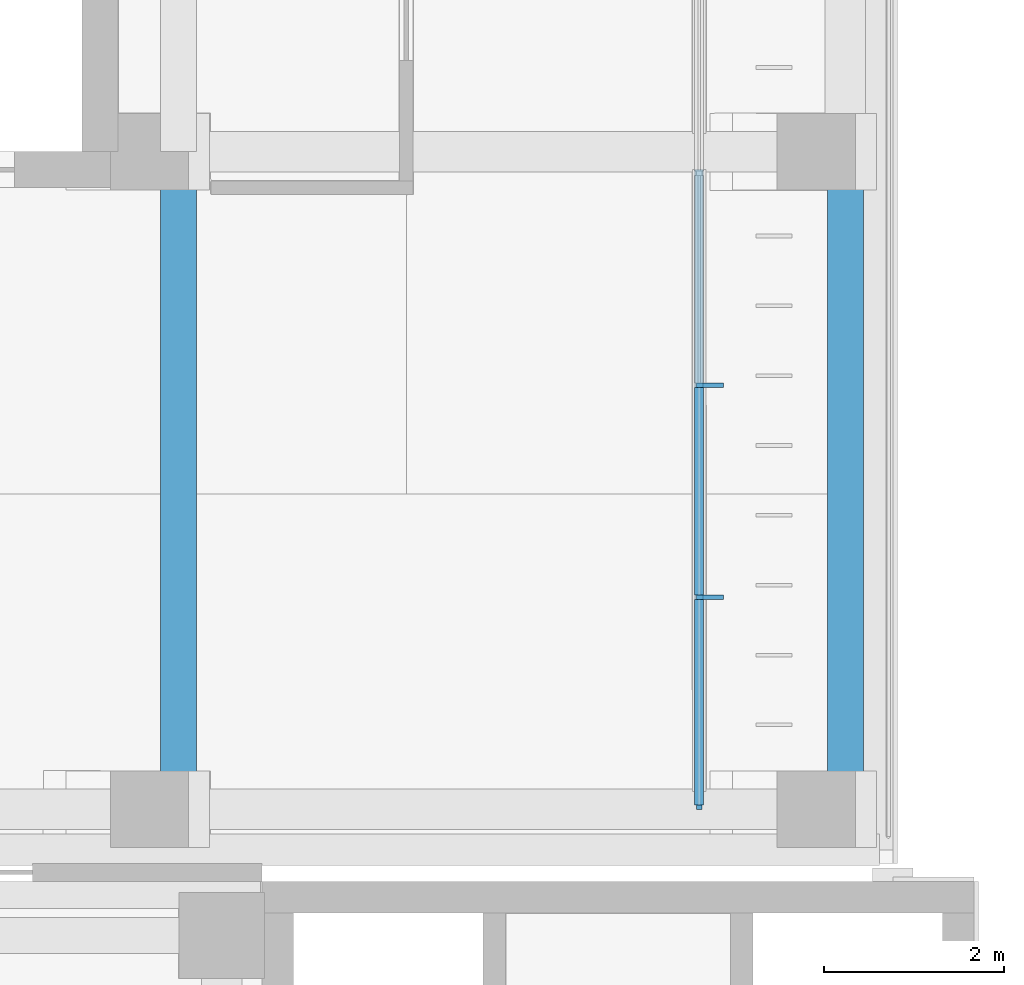
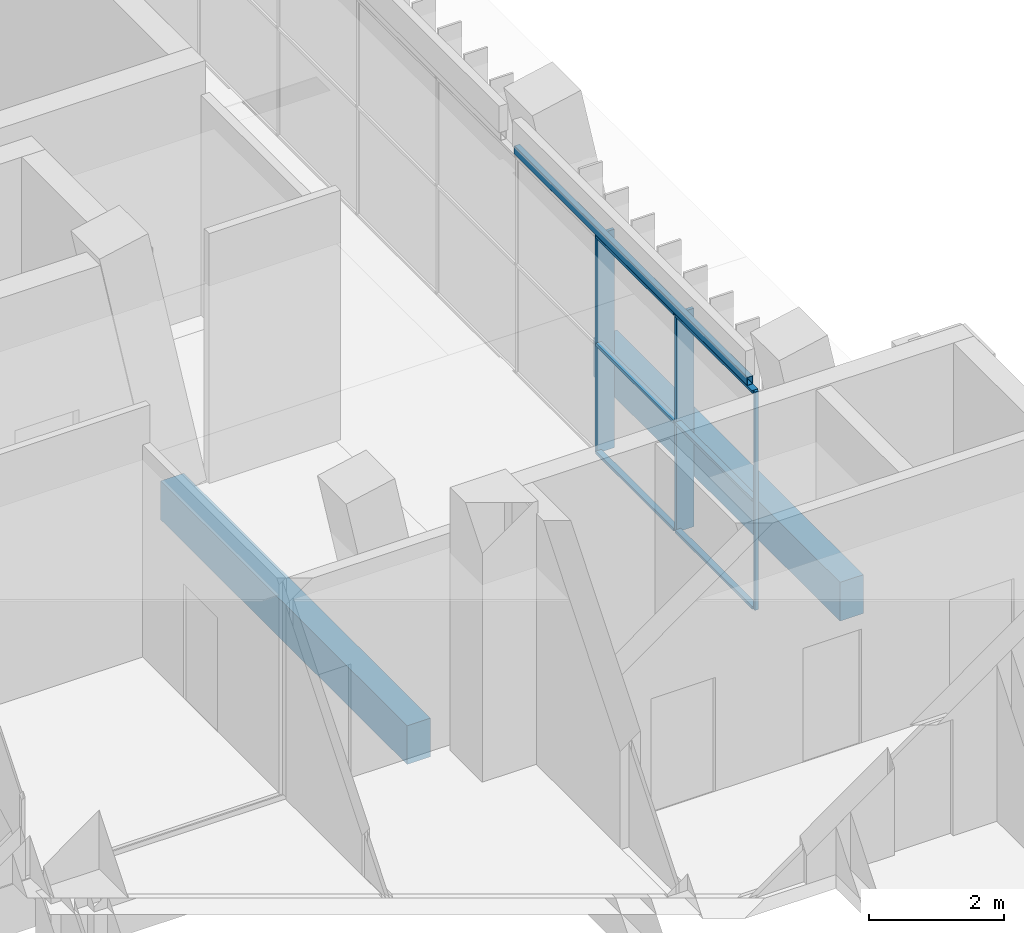
# One storey, part 21 of 92: 9 members, 3 beams, 1 element without a shape of its own.
"""IFC4 building model written with IfcOpenShell, lengths in metres."""

import ifcopenshell
import ifcopenshell.guid

model = None  # the IFC model being written
_history = None  # IfcOwnerHistory: only IFC2X3 demands one
_inside = {}  # id of a spatial element -> (the spatial element, [elements in it])
_under = {}  # id of a project, library or spatial element -> (it, [spatial elements below it])
_declared = {}  # id of a project -> (the project, [libraries it declares])
_typed = {}  # id of a type object -> (the type object, [elements of that type])
_made_of = {}  # id of a material, layer set ... -> (it, [elements and type objects made of it])


def new_model(schema):
    """Start an empty IFC model of exactly this schema.

    Asked for "IFC4X3", IfcOpenShell would pick the latest addendum, in which some entities
    have other attributes; the version numbers below select the first issue.
    IFC2X3 requires an IfcOwnerHistory on every rooted entity: one is made here for all.
    """
    global model, _history
    if schema == "IFC4X3":
        model = ifcopenshell.file(schema_version=(4, 3, 0, 0))
    else:
        model = ifcopenshell.file(schema=schema)
    _inside.clear()
    _under.clear()
    _declared.clear()
    _typed.clear()
    _made_of.clear()
    _history = None
    if model.schema == "IFC2X3":
        org = make("IfcOrganization", Name="unknown")
        user = make(
            "IfcPersonAndOrganization",
            ThePerson=make("IfcPerson", FamilyName="unknown"),
            TheOrganization=org,
        )
        app = make(
            "IfcApplication",
            ApplicationDeveloper=org,
            Version="unknown",
            ApplicationFullName="unknown",
            ApplicationIdentifier="unknown",
        )
        _history = make(
            "IfcOwnerHistory",
            OwningUser=user,
            OwningApplication=app,
            ChangeAction="ADDED",
            CreationDate=0,
        )
    return model


def make(cls, **values):
    """One entity of the class cls with the attributes given. An attribute that is None is left unset."""
    return model.create_entity(
        cls, **{name: value for name, value in values.items() if value is not None}
    )


def rooted(cls, **values):
    """An entity with a GlobalId (a new one), such as an element, a storey or a relation."""
    return make(cls, GlobalId=ifcopenshell.guid.new(), OwnerHistory=_history, **values)


def si_unit(unit_type, name, prefix=None):
    """IfcSIUnit, for example si_unit("LENGTHUNIT", "METRE", prefix="MILLI")."""
    return make("IfcSIUnit", UnitType=unit_type, Prefix=prefix, Name=name)


def assignment(units):
    """IfcUnitAssignment: the units of a project."""
    return None if units is None else make("IfcUnitAssignment", Units=units)


def point(xyz):
    """IfcCartesianPoint."""
    return None if xyz is None else make("IfcCartesianPoint", Coordinates=xyz)


def direction(xyz):
    """IfcDirection."""
    return None if xyz is None else make("IfcDirection", DirectionRatios=xyz)


def frame(location, z_axis=None, x_axis=None):
    """IfcAxis2Placement3D, a coordinate frame: its origin and axes. An axis left out is left unset."""
    return make(
        "IfcAxis2Placement3D",
        Location=point(location),
        Axis=direction(z_axis),
        RefDirection=direction(x_axis),
    )


def frame_2d(location, x_axis=None):
    """IfcAxis2Placement2D, a coordinate frame in the plane: its origin and x axis."""
    return make(
        "IfcAxis2Placement2D", Location=point(location), RefDirection=direction(x_axis)
    )


def origin():
    """The frame at (0, 0, 0) with its axes left unset."""
    return frame((0.0, 0.0, 0.0))


def origin_2d():
    """The frame at (0, 0) in the plane with its x axis left unset."""
    return frame_2d((0.0, 0.0))


def place(relative_to, where):
    """IfcLocalPlacement: puts the frame where relative to a parent placement (None: the world)."""
    return make(
        "IfcLocalPlacement", PlacementRelTo=relative_to, RelativePlacement=where
    )


def context(
    kind, dimensions, precision=None, world=None, true_north=None, identifier=None
):
    """IfcGeometricRepresentationContext, for example the 3D "Model" context."""
    return make(
        "IfcGeometricRepresentationContext",
        ContextIdentifier=identifier,
        ContextType=kind,
        CoordinateSpaceDimension=dimensions,
        Precision=precision,
        WorldCoordinateSystem=world,
        TrueNorth=true_north,
    )


def subcontext(parent, identifier, kind, view, scale=None):
    """IfcGeometricRepresentationSubContext, for example "Body" below "Model"."""
    return make(
        "IfcGeometricRepresentationSubContext",
        ContextIdentifier=identifier,
        ContextType=kind,
        ParentContext=parent,
        TargetScale=scale,
        TargetView=view,
    )


def project(units=None, contexts=None):
    """IfcProject with its units and contexts."""
    return rooted(
        "IfcProject",
        Name="project",
        RepresentationContexts=contexts,
        UnitsInContext=assignment(units),
    )


def spatial(cls, under=None, at=None, **own):
    """A site, building, storey or space (cls), placed at a placement, below another one or the project."""
    s = rooted(cls, ObjectPlacement=at, **own)
    if under is not None:
        _under.setdefault(under.id(), (under, []))[1].append(s)
    return s


def profile(cls, at=None, kind="AREA", **sizes):
    """A parametric profile (cls). Its sizes go by their IFC names, for example OverallWidth=200.0."""
    return make(cls, ProfileType=kind, Position=at, **sizes)


def rectangle(**sizes):
    """IfcRectangleProfileDef."""
    return profile("IfcRectangleProfileDef", **sizes)


def hollow_rectangle(**sizes):
    """IfcRectangleHollowProfileDef."""
    return profile("IfcRectangleHollowProfileDef", **sizes)


def extrude(swept, where, along, depth):
    """IfcExtrudedAreaSolid: the profile swept, set in the frame where, extruded along a direction by depth."""
    return make(
        "IfcExtrudedAreaSolid",
        SweptArea=swept,
        Position=where,
        ExtrudedDirection=direction(along),
        Depth=depth,
    )


def shape(context_of_items, identifier, shape_type, items):
    """IfcShapeRepresentation: the items that make up one representation, for example the "Body"."""
    return make(
        "IfcShapeRepresentation",
        ContextOfItems=context_of_items,
        RepresentationIdentifier=identifier,
        RepresentationType=shape_type,
        Items=items,
    )


def material(Name=None, Category=None):
    """IfcMaterial."""
    return make("IfcMaterial", Name=Name, Category=Category)


def material_profile(
    of_material, cross_section, Name=None, Category=None, Priority=None
):
    """IfcMaterialProfile: a cross section and its material."""
    return make(
        "IfcMaterialProfile",
        Name=Name,
        Material=of_material,
        Profile=cross_section,
        Priority=Priority,
        Category=Category,
    )


def profile_set(profiles, Name=None, composite=None):
    """IfcMaterialProfileSet."""
    return make(
        "IfcMaterialProfileSet",
        Name=Name,
        MaterialProfiles=profiles,
        CompositeProfile=composite,
    )


def made_of(thing, what):
    """Note that an element or type object is made of a material, layer set ...; save() writes the relation."""
    if what is not None:
        _made_of.setdefault(what.id(), (what, []))[1].append(thing)
    return thing


def type_object(cls, material=None, **own):
    """A type object (cls), such as IfcWallType, which elements share."""
    return made_of(rooted(cls, **own), material)


def element(
    cls,
    number,
    at=None,
    inside=None,
    cuts=None,
    type_object=None,
    material=None,
    context=None,
    identifier="Body",
    shape_type=None,
    held_by="IfcProductDefinitionShape",
    body=None,
    shapes=None,
    **own,
):
    """One element of the class cls, such as IfcWall. Its Tag is "e" and its number.

    at: its placement. inside: the storey or other place that contains it. cuts: it is an
    opening in that element (IfcRelVoidsElement). A single representation is given by context,
    identifier, shape_type and body (its items); several are given by shapes. held_by: the class
    of the entity that holds the representations. save() writes the other relations.
    """
    e = rooted(cls, Tag="e%d" % number, ObjectPlacement=at, **own)
    if body is not None:
        shapes = [shape(context, identifier, shape_type, body)]
    if shapes is not None:
        e.Representation = make(held_by, Representations=shapes)
    if inside is not None:
        _inside.setdefault(inside.id(), (inside, []))[1].append(e)
    if cuts is not None:
        rooted(
            "IfcRelVoidsElement", RelatingBuildingElement=cuts, RelatedOpeningElement=e
        )
    if type_object is not None:
        _typed.setdefault(type_object.id(), (type_object, []))[1].append(e)
    return made_of(e, material)


def aggregate(whole, parts):
    """IfcRelAggregates: a whole, such as a stair, and the parts it consists of."""
    return rooted("IfcRelAggregates", RelatingObject=whole, RelatedObjects=parts)


def save(model, path):
    """Write the relations noted so far, then the file.

    IfcRelAggregates (storeys below a building ...), IfcRelContainedInSpatialStructure (elements
    in a storey), IfcRelDefinesByType, IfcRelAssociatesMaterial and IfcRelDeclares: one each for
    every whole, place, type object, material and project.
    """
    for whole, parts in _under.values():
        aggregate(whole, parts)
    for where, things in _inside.values():
        rooted(
            "IfcRelContainedInSpatialStructure",
            RelatedElements=things,
            RelatingStructure=where,
        )
    for kind, things in _typed.values():
        rooted("IfcRelDefinesByType", RelatedObjects=things, RelatingType=kind)
    for what, things in _made_of.values():
        rooted("IfcRelAssociatesMaterial", RelatedObjects=things, RelatingMaterial=what)
    for by, libraries in _declared.values():
        rooted("IfcRelDeclares", RelatingContext=by, RelatedDefinitions=libraries)
    model.write(path)


model = new_model("IFC4")

# Units and contexts
model_context = context("Model", 3, precision=1e-05, world=origin(), true_north=direction((0.0, 1.0)))
body_context = subcontext(model_context, "Body", "Model", "MODEL_VIEW")
ifc_project = project(units=[si_unit("LENGTHUNIT", "METRE"), si_unit("AREAUNIT", "SQUARE_METRE"), si_unit("VOLUMEUNIT", "CUBIC_METRE"), si_unit("PLANEANGLEUNIT", "RADIAN"), si_unit("MASSUNIT", "GRAM", prefix="KILO")], contexts=[model_context])

# Site, building, storey
site_placement = place(None, origin())
site = spatial("IfcSite", under=ifc_project, at=site_placement, CompositionType="ELEMENT")
building_placement = place(site_placement, origin())
building = spatial("IfcBuilding", under=site, at=building_placement, Name="Lantern Court Media Centre", CompositionType="ELEMENT")
storey_placement = place(building_placement, frame((0.0, 0.0, 4.800048828125)))
storey = spatial("IfcBuildingStorey", under=building, at=storey_placement, Name="L01", CompositionType="ELEMENT", Elevation=4.800048828125)

# Curtain wall, members
ifc_material_1 = material(Name="Curtain wall bay 2400")
curtain_wall_type = type_object("IfcCurtainWallType", Name="Curtain wall bay 2400", PredefinedType="NOTDEFINED", material=ifc_material_1)
curtain_wall_placement = place(storey_placement, origin())
curtain_wall = element("IfcCurtainWall", 1, at=curtain_wall_placement, inside=storey, type_object=curtain_wall_type, Name="Curtain wall W inner L01", PredefinedType="NOTDEFINED")
ifc_material_2 = material(Name="Anodised aluminium", Category="aluminium")
ifc_material_profile_1 = material_profile(ifc_material_2, rectangle(XDim=0.300048828125, YDim=0.050048828125, at=origin_2d()), Name="AL 50x300")
ifc_profile_set_1 = profile_set([ifc_material_profile_1], Name="Anodised aluminium")
member_type_1 = type_object("IfcMemberType", Name="Curtain wall mullion 50x300", PredefinedType="MULLION", material=ifc_profile_set_1)
member_1_placement = place(storey_placement, frame((20.969970703125, 67.053955078125, 0.0), z_axis=(0.0, 0.0, 1.0), x_axis=(-1.0, 0.0, 0.0)))
member_1 = element("IfcMember", 2, at=member_1_placement, type_object=member_type_1, Name="CW2 mullion 2", PredefinedType="MULLION", context=body_context, shape_type="SweptSolid", body=[
    extrude(rectangle(XDim=0.300048828125, YDim=0.050048828125, at=origin_2d()), origin(), (0.0, 0.0, 1.0), 3.949951171875),
])
member_2_placement = place(storey_placement, frame((20.969970703125, 69.40771484375, 0.0), z_axis=(0.0, 0.0, 1.0), x_axis=(-1.0, 0.0, 0.0)))
member_2 = element("IfcMember", 3, at=member_2_placement, type_object=member_type_1, Name="CW2 mullion 3", PredefinedType="MULLION", context=body_context, shape_type="SweptSolid", body=[
    extrude(rectangle(XDim=0.300048828125, YDim=0.050048828125, at=origin_2d()), origin(), (0.0, 0.0, 1.0), 3.949951171875),
])
ifc_material_profile_2 = material_profile(ifc_material_2, rectangle(XDim=0.06005859375, YDim=0.050048828125, at=origin_2d()), Name="AL 50x60")
ifc_profile_set_2 = profile_set([ifc_material_profile_2], Name="Anodised aluminium")
member_type_2 = type_object("IfcMemberType", Name="Curtain wall mullion 50x60", PredefinedType="MULLION", material=ifc_profile_set_2)
member_3_placement = place(storey_placement, frame((20.85009765625, 64.72509765625, 0.0), z_axis=(0.0, 0.0, 1.0), x_axis=(-1.0, 0.0, 0.0)))
member_3 = element("IfcMember", 4, at=member_3_placement, type_object=member_type_2, Name="CW2 mullion 1", PredefinedType="MULLION", context=body_context, shape_type="SweptSolid", body=[
    extrude(rectangle(XDim=0.06005859375, YDim=0.050048828125, at=origin_2d()), origin(), (0.0, 0.0, 1.0), 3.949951171875),
])
ifc_material_profile_3 = material_profile(ifc_material_2, rectangle(XDim=0.10009765625, YDim=0.050048828125, at=origin_2d()), Name="AL 50x100")
ifc_profile_set_3 = profile_set([ifc_material_profile_3], Name="Anodised aluminium")
member_type_3 = type_object("IfcMemberType", Name="Curtain wall transom 100x50", PredefinedType="USERDEFINED", material=ifc_profile_set_3)
member_4_placement = place(storey_placement, frame((20.85009765625, 64.75, 0.02490234375), z_axis=(0.0, 1.0, 0.0), x_axis=(-1.0, 0.0, 0.0)))
member_4 = element("IfcMember", 5, at=member_4_placement, type_object=member_type_3, Name="CW2 transom 1.1", ObjectType="TRANSOM", PredefinedType="USERDEFINED", context=body_context, shape_type="SweptSolid", body=[
    extrude(rectangle(XDim=0.10009765625, YDim=0.050048828125, at=origin_2d()), origin(), (0.0, 0.0, 1.0), 2.27880859375),
])
member_5_placement = place(storey_placement, frame((20.85009765625, 64.75, 1.974853515625), z_axis=(0.0, 1.0, 0.0), x_axis=(-1.0, 0.0, 0.0)))
member_5 = element("IfcMember", 6, at=member_5_placement, type_object=member_type_3, Name="CW2 transom 1.2", ObjectType="TRANSOM", PredefinedType="USERDEFINED", context=body_context, shape_type="SweptSolid", body=[
    extrude(rectangle(XDim=0.10009765625, YDim=0.050048828125, at=origin_2d()), origin(), (0.0, 0.0, 1.0), 2.27880859375),
])
member_6_placement = place(storey_placement, frame((20.85009765625, 64.75, 3.925048828125), z_axis=(0.0, 1.0, 0.0), x_axis=(-1.0, 0.0, 0.0)))
member_6 = element("IfcMember", 7, at=member_6_placement, type_object=member_type_3, Name="CW2 transom 1.3", ObjectType="TRANSOM", PredefinedType="USERDEFINED", context=body_context, shape_type="SweptSolid", body=[
    extrude(rectangle(XDim=0.10009765625, YDim=0.050048828125, at=origin_2d()), origin(), (0.0, 0.0, 1.0), 2.27880859375),
])
member_7_placement = place(storey_placement, frame((20.85009765625, 67.078857421875, 0.02490234375), z_axis=(0.0, 1.0, 0.0), x_axis=(-1.0, 0.0, 0.0)))
member_7 = element("IfcMember", 8, at=member_7_placement, type_object=member_type_3, Name="CW2 transom 2.1", ObjectType="TRANSOM", PredefinedType="USERDEFINED", context=body_context, shape_type="SweptSolid", body=[
    extrude(rectangle(XDim=0.10009765625, YDim=0.050048828125, at=origin_2d()), origin(), (0.0, 0.0, 1.0), 2.303955078125),
])
member_8_placement = place(storey_placement, frame((20.85009765625, 67.078857421875, 1.974853515625), z_axis=(0.0, 1.0, 0.0), x_axis=(-1.0, 0.0, 0.0)))
member_8 = element("IfcMember", 9, at=member_8_placement, type_object=member_type_3, Name="CW2 transom 2.2", ObjectType="TRANSOM", PredefinedType="USERDEFINED", context=body_context, shape_type="SweptSolid", body=[
    extrude(rectangle(XDim=0.10009765625, YDim=0.050048828125, at=origin_2d()), origin(), (0.0, 0.0, 1.0), 2.303955078125),
])
member_9_placement = place(storey_placement, frame((20.85009765625, 67.078857421875, 3.925048828125), z_axis=(0.0, 1.0, 0.0), x_axis=(-1.0, 0.0, 0.0)))
member_9 = element("IfcMember", 10, at=member_9_placement, type_object=member_type_3, Name="CW2 transom 2.3", ObjectType="TRANSOM", PredefinedType="USERDEFINED", context=body_context, shape_type="SweptSolid", body=[
    extrude(rectangle(XDim=0.10009765625, YDim=0.050048828125, at=origin_2d()), origin(), (0.0, 0.0, 1.0), 2.303955078125),
])
aggregate(curtain_wall, [member_3, member_1, member_2, member_4, member_5, member_6, member_7, member_8, member_9])

# Beams
ifc_material_3 = material(Name="Steel S355J2 (EN 10025-2)", Category="steel")
ifc_material_profile_4 = material_profile(ifc_material_3, hollow_rectangle(XDim=0.10009765625, YDim=0.14990234375, WallThickness=0.00634765625, InnerFilletRadius=0.00634765625, OuterFilletRadius=0.009521484375, at=origin_2d()), Name="Facade head lintel RHS 150x100x6.3")
ifc_profile_set_4 = profile_set([ifc_material_profile_4], Name="Steel S355J2 (EN 10025-2)")
beam_type_1 = type_object("IfcBeamType", Name="Facade head lintel RHS 150x100x6.3", PredefinedType="BEAM", material=ifc_profile_set_4)
beam_placement = place(storey_placement, frame((20.85009765625, 64.89990234375, 4.02490234375), z_axis=(0.0, 1.0, 0.0), x_axis=(-1.0, 0.0, 0.0)))
element("IfcBeam", 11, at=beam_placement, inside=storey, type_object=beam_type_1, Name="Facade head lintel W L01", PredefinedType="BEAM", context=body_context, shape_type="SweptSolid", body=[
    extrude(hollow_rectangle(XDim=0.10009765625, YDim=0.14990234375, WallThickness=0.00634765625, InnerFilletRadius=0.00634765625, OuterFilletRadius=0.009521484375, at=origin_2d()), origin(), (0.0, 0.0, 1.0), 6.900146484375),
])
ifc_material_4 = material(Name="Concrete C35", Category="concrete")
ifc_material_profile_5 = material_profile(ifc_material_4, rectangle(XDim=0.39990234375, YDim=0.699951171875, at=origin_2d()), Name="RC 400x700")
ifc_profile_set_5 = profile_set([ifc_material_profile_5], Name="Concrete C35")
beam_type_2 = type_object("IfcBeamType", Name="RC BEAM 400x700", PredefinedType="BEAM", material=ifc_profile_set_5)
for number, where, z_axis, x_axis, name in (
    (12, (15.072998046875, 64.699951171875, -0.35009765625), (0.0, 1.0, 0.0), (-1.0, 0.0, 0.0), "LB-W-L01-1-0"),
    (13, (22.472900390625, 64.699951171875, -0.35009765625), (0.0, 1.0, 0.0), (-1.0, 0.0, 0.0), "LB-W-L01-2-0"),
):
    element("IfcBeam", number, at=place(storey_placement, frame(where, z_axis=z_axis, x_axis=x_axis)), inside=storey, type_object=beam_type_2, Name=name, PredefinedType="BEAM", context=body_context, shape_type="SweptSolid", body=[
        extrude(rectangle(XDim=0.39990234375, YDim=0.699951171875, at=origin_2d()), origin(), (0.0, 0.0, 1.0), 7.300048828125),
    ])

save(model, "model.ifc")
